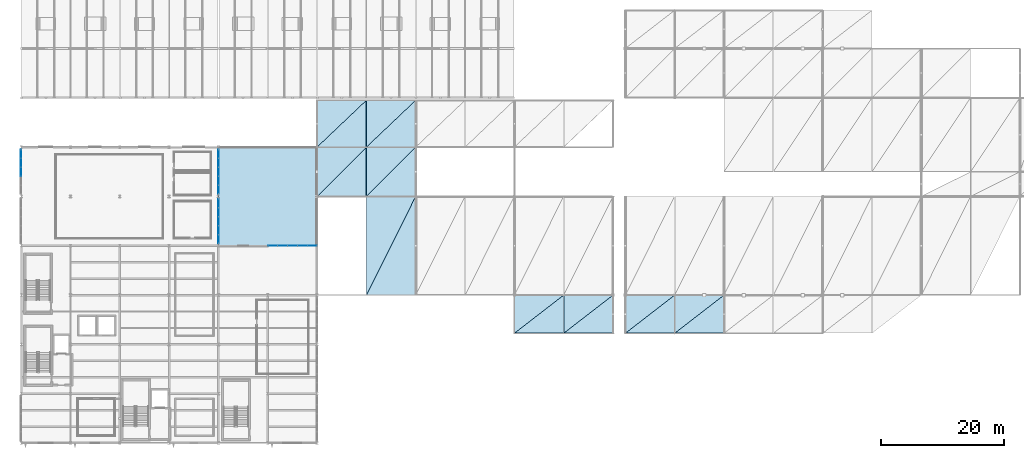
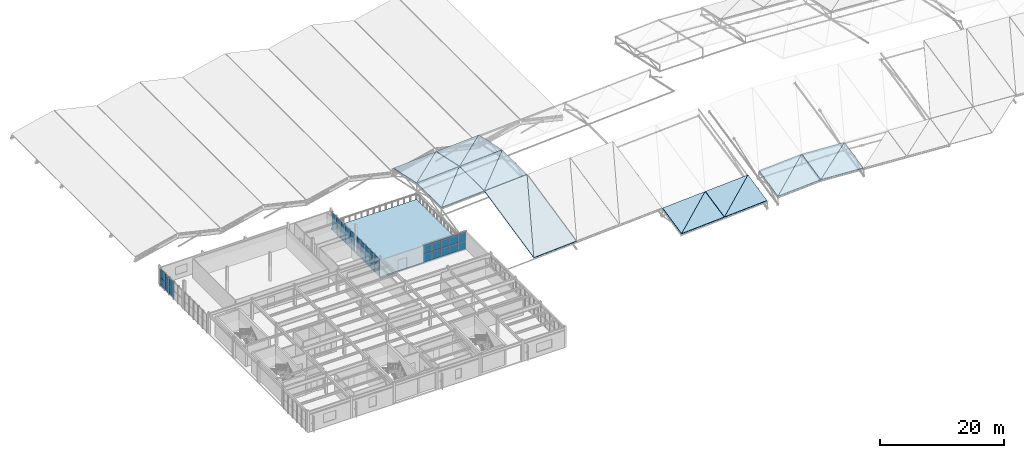
# One storey, part 36 of 67: 36 plates, 19 slabs, 4 elements without a shape of their own.
"""IFC4 building model written with IfcOpenShell, lengths in metres."""

from ifc_helpers import new_model, si_unit, direction, frame, origin, origin_2d, place, context, subcontext, project, spatial, polyline, rectangle, outline, extrude, material, layer, layer_set, type_object, element, aggregate, save


model = new_model("IFC4")

# Units and contexts
model_context = context("Model", 3, precision=1e-05, world=origin(), true_north=direction((0.0, 1.0)))
body_context = subcontext(model_context, "Body", "Model", "MODEL_VIEW")
ifc_project = project(units=[si_unit("LENGTHUNIT", "METRE"), si_unit("AREAUNIT", "SQUARE_METRE"), si_unit("VOLUMEUNIT", "CUBIC_METRE"), si_unit("PLANEANGLEUNIT", "RADIAN"), si_unit("MASSUNIT", "GRAM", prefix="KILO")], contexts=[model_context])

# Site, building, storey
site_placement = place(None, origin())
site = spatial("IfcSite", under=ifc_project, at=site_placement, CompositionType="ELEMENT")
building_placement = place(site_placement, origin())
building = spatial("IfcBuilding", under=site, at=building_placement, Name="Drelvath Fold Interchange", CompositionType="ELEMENT")
storey_placement = place(building_placement, frame((0.0, 0.0, 15.60009765625)))
storey = spatial("IfcBuildingStorey", under=building, at=storey_placement, Name="L03", CompositionType="ELEMENT", Elevation=15.60009765625)

# Curtain wall, plates
ifc_material_1 = material(Name="Anodized Aluminium 6063-T6", Category="aluminium")
curtain_wall_type = type_object("IfcCurtainWallType", Name="CW-OPS-UPP", PredefinedType="USERDEFINED", material=ifc_material_1)
curtain_wall_1_placement = place(storey_placement, origin())
curtain_wall_1 = element("IfcCurtainWall", 1, at=curtain_wall_1_placement, inside=storey, type_object=curtain_wall_type, Name="Curtain wall CW-V5-L03-W43", ObjectType="UNITISED CURTAIN WALL", PredefinedType="USERDEFINED")
ifc_material_2 = material(Name="Low-Iron Insulated Laminated Glass", Category="glass")
ifc_layer_1 = layer(ifc_material_2, 0.068115234375, Name="Low-Iron Insulated Laminated Glass")
ifc_layer_set_1 = layer_set([ifc_layer_1], Name="Low-Iron Insulated Laminated Glass")
plate_type = type_object("IfcPlateType", Name="CP-OPS-A", PredefinedType="CURTAIN_PANEL", material=ifc_layer_set_1)
plate_1_placement = place(storey_placement, frame((4.0, 47.0, 0.040283203125), z_axis=(0.0, 0.0, 1.0), x_axis=(0.0, 1.0, 0.0)))
plate_1 = element("IfcPlate", 2, at=plate_1_placement, type_object=plate_type, Name="CW-V5-L03-W43 glazed panel 2-0", PredefinedType="CURTAIN_PANEL", context=body_context, shape_type="SweptSolid", body=[
    extrude(rectangle(XDim=1.43603515625, YDim=0.068115234375, at=origin_2d()), origin(), (0.0, 0.0, 1.0), 1.625),
])
plate_2_placement = place(storey_placement, frame((4.0, 47.0, 1.684326171875), z_axis=(0.0, 0.0, 1.0), x_axis=(0.0, 1.0, 0.0)))
plate_2 = element("IfcPlate", 3, at=plate_2_placement, type_object=plate_type, Name="CW-V5-L03-W43 glazed panel 2-1", PredefinedType="CURTAIN_PANEL", context=body_context, shape_type="SweptSolid", body=[
    extrude(rectangle(XDim=1.43603515625, YDim=0.068115234375, at=origin_2d()), origin(), (0.0, 0.0, 1.0), 1.625),
])
plate_3_placement = place(storey_placement, frame((4.0, 48.4560546875, 0.040283203125), z_axis=(0.0, 0.0, 1.0), x_axis=(0.0, 1.0, 0.0)))
plate_3 = element("IfcPlate", 4, at=plate_3_placement, type_object=plate_type, Name="CW-V5-L03-W43 glazed panel 3-0", PredefinedType="CURTAIN_PANEL", context=body_context, shape_type="SweptSolid", body=[
    extrude(rectangle(XDim=1.43603515625, YDim=0.068115234375, at=origin_2d()), origin(), (0.0, 0.0, 1.0), 1.625),
])
plate_4_placement = place(storey_placement, frame((4.0, 48.4560546875, 1.684326171875), z_axis=(0.0, 0.0, 1.0), x_axis=(0.0, 1.0, 0.0)))
plate_4 = element("IfcPlate", 5, at=plate_4_placement, type_object=plate_type, Name="CW-V5-L03-W43 glazed panel 3-1", PredefinedType="CURTAIN_PANEL", context=body_context, shape_type="SweptSolid", body=[
    extrude(rectangle(XDim=1.43603515625, YDim=0.068115234375, at=origin_2d()), origin(), (0.0, 0.0, 1.0), 1.625),
])
plate_5_placement = place(storey_placement, frame((4.0, 49.89208984375, 0.040283203125), z_axis=(0.0, 0.0, 1.0), x_axis=(0.0, 1.0, 0.0)))
plate_5 = element("IfcPlate", 6, at=plate_5_placement, type_object=plate_type, Name="CW-V5-L03-W43 glazed panel 4-0", PredefinedType="CURTAIN_PANEL", context=body_context, shape_type="SweptSolid", body=[
    extrude(rectangle(XDim=1.39599609375, YDim=0.068115234375, at=origin_2d()), origin(), (0.0, 0.0, 1.0), 1.625),
])
plate_6_placement = place(storey_placement, frame((4.0, 49.89208984375, 1.684326171875), z_axis=(0.0, 0.0, 1.0), x_axis=(0.0, 1.0, 0.0)))
plate_6 = element("IfcPlate", 7, at=plate_6_placement, type_object=plate_type, Name="CW-V5-L03-W43 glazed panel 4-1", PredefinedType="CURTAIN_PANEL", context=body_context, shape_type="SweptSolid", body=[
    extrude(rectangle(XDim=1.39599609375, YDim=0.068115234375, at=origin_2d()), origin(), (0.0, 0.0, 1.0), 1.625),
])
aggregate(curtain_wall_1, [plate_1, plate_2, plate_3, plate_4, plate_5, plate_6])

curtain_wall_2_placement = place(storey_placement, origin())
curtain_wall_2 = element("IfcCurtainWall", 8, at=curtain_wall_2_placement, inside=storey, type_object=curtain_wall_type, Name="Curtain wall CW-V5-L03-ST44", ObjectType="UNITISED CURTAIN WALL", PredefinedType="USERDEFINED")
plate_7_placement = place(storey_placement, frame((44.820068359375, 35.0, 0.040283203125), z_axis=(0.0, 0.0, 1.0), x_axis=(1.0, 0.0, 0.0)))
plate_7 = element("IfcPlate", 9, at=plate_7_placement, type_object=plate_type, Name="CW-V5-L03-ST44 glazed panel 0-0", PredefinedType="CURTAIN_PANEL", context=body_context, shape_type="SweptSolid", body=[
    extrude(rectangle(XDim=1.5400390625, YDim=0.068115234375, at=origin_2d()), origin(), (0.0, 0.0, 1.0), 1.625),
])
plate_8_placement = place(storey_placement, frame((44.820068359375, 35.0, 1.684326171875), z_axis=(0.0, 0.0, 1.0), x_axis=(1.0, 0.0, 0.0)))
plate_8 = element("IfcPlate", 10, at=plate_8_placement, type_object=plate_type, Name="CW-V5-L03-ST44 glazed panel 0-1", PredefinedType="CURTAIN_PANEL", context=body_context, shape_type="SweptSolid", body=[
    extrude(rectangle(XDim=1.5400390625, YDim=0.068115234375, at=origin_2d()), origin(), (0.0, 0.0, 1.0), 1.625),
])
plate_9_placement = place(storey_placement, frame((46.39990234375, 35.0, 0.040283203125), z_axis=(0.0, 0.0, 1.0), x_axis=(1.0, 0.0, 0.0)))
plate_9 = element("IfcPlate", 11, at=plate_9_placement, type_object=plate_type, Name="CW-V5-L03-ST44 glazed panel 1-0", PredefinedType="CURTAIN_PANEL", context=body_context, shape_type="SweptSolid", body=[
    extrude(rectangle(XDim=1.580078125, YDim=0.068115234375, at=origin_2d()), origin(), (0.0, 0.0, 1.0), 1.625),
])
plate_10_placement = place(storey_placement, frame((46.39990234375, 35.0, 1.684326171875), z_axis=(0.0, 0.0, 1.0), x_axis=(1.0, 0.0, 0.0)))
plate_10 = element("IfcPlate", 12, at=plate_10_placement, type_object=plate_type, Name="CW-V5-L03-ST44 glazed panel 1-1", PredefinedType="CURTAIN_PANEL", context=body_context, shape_type="SweptSolid", body=[
    extrude(rectangle(XDim=1.580078125, YDim=0.068115234375, at=origin_2d()), origin(), (0.0, 0.0, 1.0), 1.625),
])
plate_11_placement = place(storey_placement, frame((48.0, 35.0, 0.040283203125), z_axis=(0.0, 0.0, 1.0), x_axis=(1.0, 0.0, 0.0)))
plate_11 = element("IfcPlate", 13, at=plate_11_placement, type_object=plate_type, Name="CW-V5-L03-ST44 glazed panel 2-0", PredefinedType="CURTAIN_PANEL", context=body_context, shape_type="SweptSolid", body=[
    extrude(rectangle(XDim=1.580078125, YDim=0.068115234375, at=origin_2d()), origin(), (0.0, 0.0, 1.0), 1.625),
])
plate_12_placement = place(storey_placement, frame((48.0, 35.0, 1.684326171875), z_axis=(0.0, 0.0, 1.0), x_axis=(1.0, 0.0, 0.0)))
plate_12 = element("IfcPlate", 14, at=plate_12_placement, type_object=plate_type, Name="CW-V5-L03-ST44 glazed panel 2-1", PredefinedType="CURTAIN_PANEL", context=body_context, shape_type="SweptSolid", body=[
    extrude(rectangle(XDim=1.580078125, YDim=0.068115234375, at=origin_2d()), origin(), (0.0, 0.0, 1.0), 1.625),
])
plate_13_placement = place(storey_placement, frame((49.60009765625, 35.0, 0.040283203125), z_axis=(0.0, 0.0, 1.0), x_axis=(1.0, 0.0, 0.0)))
plate_13 = element("IfcPlate", 15, at=plate_13_placement, type_object=plate_type, Name="CW-V5-L03-ST44 glazed panel 3-0", PredefinedType="CURTAIN_PANEL", context=body_context, shape_type="SweptSolid", body=[
    extrude(rectangle(XDim=1.580078125, YDim=0.068115234375, at=origin_2d()), origin(), (0.0, 0.0, 1.0), 1.625),
])
plate_14_placement = place(storey_placement, frame((49.60009765625, 35.0, 1.684326171875), z_axis=(0.0, 0.0, 1.0), x_axis=(1.0, 0.0, 0.0)))
plate_14 = element("IfcPlate", 16, at=plate_14_placement, type_object=plate_type, Name="CW-V5-L03-ST44 glazed panel 3-1", PredefinedType="CURTAIN_PANEL", context=body_context, shape_type="SweptSolid", body=[
    extrude(rectangle(XDim=1.580078125, YDim=0.068115234375, at=origin_2d()), origin(), (0.0, 0.0, 1.0), 1.625),
])
plate_15_placement = place(storey_placement, frame((51.179931640625, 35.0, 0.040283203125), z_axis=(0.0, 0.0, 1.0), x_axis=(1.0, 0.0, 0.0)))
plate_15 = element("IfcPlate", 17, at=plate_15_placement, type_object=plate_type, Name="CW-V5-L03-ST44 glazed panel 4-0", PredefinedType="CURTAIN_PANEL", context=body_context, shape_type="SweptSolid", body=[
    extrude(rectangle(XDim=1.5400390625, YDim=0.068115234375, at=origin_2d()), origin(), (0.0, 0.0, 1.0), 1.625),
])
plate_16_placement = place(storey_placement, frame((51.179931640625, 35.0, 1.684326171875), z_axis=(0.0, 0.0, 1.0), x_axis=(1.0, 0.0, 0.0)))
plate_16 = element("IfcPlate", 18, at=plate_16_placement, type_object=plate_type, Name="CW-V5-L03-ST44 glazed panel 4-1", PredefinedType="CURTAIN_PANEL", context=body_context, shape_type="SweptSolid", body=[
    extrude(rectangle(XDim=1.5400390625, YDim=0.068115234375, at=origin_2d()), origin(), (0.0, 0.0, 1.0), 1.625),
])
aggregate(curtain_wall_2, [plate_7, plate_8, plate_9, plate_10, plate_11, plate_12, plate_13, plate_14, plate_15, plate_16])

curtain_wall_3_placement = place(storey_placement, origin())
curtain_wall_3 = element("IfcCurtainWall", 19, at=curtain_wall_3_placement, inside=storey, type_object=curtain_wall_type, Name="Curtain wall CW-V5-L03-E36-35", ObjectType="UNITISED CURTAIN WALL", PredefinedType="USERDEFINED")
plate_17_placement = place(storey_placement, frame((36.0, 36.10791015625, 0.040283203125), z_axis=(0.0, 0.0, 1.0), x_axis=(0.0, 1.0, 0.0)))
plate_17 = element("IfcPlate", 20, at=plate_17_placement, type_object=plate_type, Name="CW-V5-L03-E36-35 glazed panel 0-0", PredefinedType="CURTAIN_PANEL", context=body_context, shape_type="SweptSolid", body=[
    extrude(rectangle(XDim=1.39599609375, YDim=0.068115234375, at=origin_2d()), origin(), (0.0, 0.0, 1.0), 1.625),
])
plate_18_placement = place(storey_placement, frame((36.0, 36.10791015625, 1.684326171875), z_axis=(0.0, 0.0, 1.0), x_axis=(0.0, 1.0, 0.0)))
plate_18 = element("IfcPlate", 21, at=plate_18_placement, type_object=plate_type, Name="CW-V5-L03-E36-35 glazed panel 0-1", PredefinedType="CURTAIN_PANEL", context=body_context, shape_type="SweptSolid", body=[
    extrude(rectangle(XDim=1.39599609375, YDim=0.068115234375, at=origin_2d()), origin(), (0.0, 0.0, 1.0), 1.625),
])
plate_19_placement = place(storey_placement, frame((36.0, 37.5439453125, 0.040283203125), z_axis=(0.0, 0.0, 1.0), x_axis=(0.0, 1.0, 0.0)))
plate_19 = element("IfcPlate", 22, at=plate_19_placement, type_object=plate_type, Name="CW-V5-L03-E36-35 glazed panel 1-0", PredefinedType="CURTAIN_PANEL", context=body_context, shape_type="SweptSolid", body=[
    extrude(rectangle(XDim=1.43603515625, YDim=0.068115234375, at=origin_2d()), origin(), (0.0, 0.0, 1.0), 1.625),
])
plate_20_placement = place(storey_placement, frame((36.0, 37.5439453125, 1.684326171875), z_axis=(0.0, 0.0, 1.0), x_axis=(0.0, 1.0, 0.0)))
plate_20 = element("IfcPlate", 23, at=plate_20_placement, type_object=plate_type, Name="CW-V5-L03-E36-35 glazed panel 1-1", PredefinedType="CURTAIN_PANEL", context=body_context, shape_type="SweptSolid", body=[
    extrude(rectangle(XDim=1.43603515625, YDim=0.068115234375, at=origin_2d()), origin(), (0.0, 0.0, 1.0), 1.625),
])
plate_21_placement = place(storey_placement, frame((36.0, 39.0, 0.040283203125), z_axis=(0.0, 0.0, 1.0), x_axis=(0.0, 1.0, 0.0)))
plate_21 = element("IfcPlate", 24, at=plate_21_placement, type_object=plate_type, Name="CW-V5-L03-E36-35 glazed panel 2-0", PredefinedType="CURTAIN_PANEL", context=body_context, shape_type="SweptSolid", body=[
    extrude(rectangle(XDim=1.43603515625, YDim=0.068115234375, at=origin_2d()), origin(), (0.0, 0.0, 1.0), 1.625),
])
plate_22_placement = place(storey_placement, frame((36.0, 39.0, 1.684326171875), z_axis=(0.0, 0.0, 1.0), x_axis=(0.0, 1.0, 0.0)))
plate_22 = element("IfcPlate", 25, at=plate_22_placement, type_object=plate_type, Name="CW-V5-L03-E36-35 glazed panel 2-1", PredefinedType="CURTAIN_PANEL", context=body_context, shape_type="SweptSolid", body=[
    extrude(rectangle(XDim=1.43603515625, YDim=0.068115234375, at=origin_2d()), origin(), (0.0, 0.0, 1.0), 1.625),
])
plate_23_placement = place(storey_placement, frame((36.0, 40.4560546875, 0.040283203125), z_axis=(0.0, 0.0, 1.0), x_axis=(0.0, 1.0, 0.0)))
plate_23 = element("IfcPlate", 26, at=plate_23_placement, type_object=plate_type, Name="CW-V5-L03-E36-35 glazed panel 3-0", PredefinedType="CURTAIN_PANEL", context=body_context, shape_type="SweptSolid", body=[
    extrude(rectangle(XDim=1.43603515625, YDim=0.068115234375, at=origin_2d()), origin(), (0.0, 0.0, 1.0), 1.625),
])
plate_24_placement = place(storey_placement, frame((36.0, 40.4560546875, 1.684326171875), z_axis=(0.0, 0.0, 1.0), x_axis=(0.0, 1.0, 0.0)))
plate_24 = element("IfcPlate", 27, at=plate_24_placement, type_object=plate_type, Name="CW-V5-L03-E36-35 glazed panel 3-1", PredefinedType="CURTAIN_PANEL", context=body_context, shape_type="SweptSolid", body=[
    extrude(rectangle(XDim=1.43603515625, YDim=0.068115234375, at=origin_2d()), origin(), (0.0, 0.0, 1.0), 1.625),
])
plate_25_placement = place(storey_placement, frame((36.0, 41.89208984375, 0.040283203125), z_axis=(0.0, 0.0, 1.0), x_axis=(0.0, 1.0, 0.0)))
plate_25 = element("IfcPlate", 28, at=plate_25_placement, type_object=plate_type, Name="CW-V5-L03-E36-35 glazed panel 4-0", PredefinedType="CURTAIN_PANEL", context=body_context, shape_type="SweptSolid", body=[
    extrude(rectangle(XDim=1.39599609375, YDim=0.068115234375, at=origin_2d()), origin(), (0.0, 0.0, 1.0), 1.625),
])
plate_26_placement = place(storey_placement, frame((36.0, 41.89208984375, 1.684326171875), z_axis=(0.0, 0.0, 1.0), x_axis=(0.0, 1.0, 0.0)))
plate_26 = element("IfcPlate", 29, at=plate_26_placement, type_object=plate_type, Name="CW-V5-L03-E36-35 glazed panel 4-1", PredefinedType="CURTAIN_PANEL", context=body_context, shape_type="SweptSolid", body=[
    extrude(rectangle(XDim=1.39599609375, YDim=0.068115234375, at=origin_2d()), origin(), (0.0, 0.0, 1.0), 1.625),
])
aggregate(curtain_wall_3, [plate_17, plate_18, plate_19, plate_20, plate_21, plate_22, plate_23, plate_24, plate_25, plate_26])

curtain_wall_4_placement = place(storey_placement, origin())
curtain_wall_4 = element("IfcCurtainWall", 30, at=curtain_wall_4_placement, inside=storey, type_object=curtain_wall_type, Name="Curtain wall CW-V5-L03-E36-43", ObjectType="UNITISED CURTAIN WALL", PredefinedType="USERDEFINED")
plate_27_placement = place(storey_placement, frame((36.0, 44.10791015625, 0.040283203125), z_axis=(0.0, 0.0, 1.0), x_axis=(0.0, 1.0, 0.0)))
plate_27 = element("IfcPlate", 31, at=plate_27_placement, type_object=plate_type, Name="CW-V5-L03-E36-43 glazed panel 0-0", PredefinedType="CURTAIN_PANEL", context=body_context, shape_type="SweptSolid", body=[
    extrude(rectangle(XDim=1.39599609375, YDim=0.068115234375, at=origin_2d()), origin(), (0.0, 0.0, 1.0), 1.625),
])
plate_28_placement = place(storey_placement, frame((36.0, 44.10791015625, 1.684326171875), z_axis=(0.0, 0.0, 1.0), x_axis=(0.0, 1.0, 0.0)))
plate_28 = element("IfcPlate", 32, at=plate_28_placement, type_object=plate_type, Name="CW-V5-L03-E36-43 glazed panel 0-1", PredefinedType="CURTAIN_PANEL", context=body_context, shape_type="SweptSolid", body=[
    extrude(rectangle(XDim=1.39599609375, YDim=0.068115234375, at=origin_2d()), origin(), (0.0, 0.0, 1.0), 1.625),
])
plate_29_placement = place(storey_placement, frame((36.0, 45.5439453125, 0.040283203125), z_axis=(0.0, 0.0, 1.0), x_axis=(0.0, 1.0, 0.0)))
plate_29 = element("IfcPlate", 33, at=plate_29_placement, type_object=plate_type, Name="CW-V5-L03-E36-43 glazed panel 1-0", PredefinedType="CURTAIN_PANEL", context=body_context, shape_type="SweptSolid", body=[
    extrude(rectangle(XDim=1.43603515625, YDim=0.068115234375, at=origin_2d()), origin(), (0.0, 0.0, 1.0), 1.625),
])
plate_30_placement = place(storey_placement, frame((36.0, 45.5439453125, 1.684326171875), z_axis=(0.0, 0.0, 1.0), x_axis=(0.0, 1.0, 0.0)))
plate_30 = element("IfcPlate", 34, at=plate_30_placement, type_object=plate_type, Name="CW-V5-L03-E36-43 glazed panel 1-1", PredefinedType="CURTAIN_PANEL", context=body_context, shape_type="SweptSolid", body=[
    extrude(rectangle(XDim=1.43603515625, YDim=0.068115234375, at=origin_2d()), origin(), (0.0, 0.0, 1.0), 1.625),
])
plate_31_placement = place(storey_placement, frame((36.0, 47.0, 0.040283203125), z_axis=(0.0, 0.0, 1.0), x_axis=(0.0, 1.0, 0.0)))
plate_31 = element("IfcPlate", 35, at=plate_31_placement, type_object=plate_type, Name="CW-V5-L03-E36-43 glazed panel 2-0", PredefinedType="CURTAIN_PANEL", context=body_context, shape_type="SweptSolid", body=[
    extrude(rectangle(XDim=1.43603515625, YDim=0.068115234375, at=origin_2d()), origin(), (0.0, 0.0, 1.0), 1.625),
])
plate_32_placement = place(storey_placement, frame((36.0, 47.0, 1.684326171875), z_axis=(0.0, 0.0, 1.0), x_axis=(0.0, 1.0, 0.0)))
plate_32 = element("IfcPlate", 36, at=plate_32_placement, type_object=plate_type, Name="CW-V5-L03-E36-43 glazed panel 2-1", PredefinedType="CURTAIN_PANEL", context=body_context, shape_type="SweptSolid", body=[
    extrude(rectangle(XDim=1.43603515625, YDim=0.068115234375, at=origin_2d()), origin(), (0.0, 0.0, 1.0), 1.625),
])
plate_33_placement = place(storey_placement, frame((36.0, 48.4560546875, 0.040283203125), z_axis=(0.0, 0.0, 1.0), x_axis=(0.0, 1.0, 0.0)))
plate_33 = element("IfcPlate", 37, at=plate_33_placement, type_object=plate_type, Name="CW-V5-L03-E36-43 glazed panel 3-0", PredefinedType="CURTAIN_PANEL", context=body_context, shape_type="SweptSolid", body=[
    extrude(rectangle(XDim=1.43603515625, YDim=0.068115234375, at=origin_2d()), origin(), (0.0, 0.0, 1.0), 1.625),
])
plate_34_placement = place(storey_placement, frame((36.0, 48.4560546875, 1.684326171875), z_axis=(0.0, 0.0, 1.0), x_axis=(0.0, 1.0, 0.0)))
plate_34 = element("IfcPlate", 38, at=plate_34_placement, type_object=plate_type, Name="CW-V5-L03-E36-43 glazed panel 3-1", PredefinedType="CURTAIN_PANEL", context=body_context, shape_type="SweptSolid", body=[
    extrude(rectangle(XDim=1.43603515625, YDim=0.068115234375, at=origin_2d()), origin(), (0.0, 0.0, 1.0), 1.625),
])
plate_35_placement = place(storey_placement, frame((36.0, 49.89208984375, 0.040283203125), z_axis=(0.0, 0.0, 1.0), x_axis=(0.0, 1.0, 0.0)))
plate_35 = element("IfcPlate", 39, at=plate_35_placement, type_object=plate_type, Name="CW-V5-L03-E36-43 glazed panel 4-0", PredefinedType="CURTAIN_PANEL", context=body_context, shape_type="SweptSolid", body=[
    extrude(rectangle(XDim=1.39599609375, YDim=0.068115234375, at=origin_2d()), origin(), (0.0, 0.0, 1.0), 1.625),
])
plate_36_placement = place(storey_placement, frame((36.0, 49.89208984375, 1.684326171875), z_axis=(0.0, 0.0, 1.0), x_axis=(0.0, 1.0, 0.0)))
plate_36 = element("IfcPlate", 40, at=plate_36_placement, type_object=plate_type, Name="CW-V5-L03-E36-43 glazed panel 4-1", PredefinedType="CURTAIN_PANEL", context=body_context, shape_type="SweptSolid", body=[
    extrude(rectangle(XDim=1.39599609375, YDim=0.068115234375, at=origin_2d()), origin(), (0.0, 0.0, 1.0), 1.625),
])
aggregate(curtain_wall_4, [plate_27, plate_28, plate_29, plate_30, plate_31, plate_32, plate_33, plate_34, plate_35, plate_36])

# Slabs
ifc_material_3 = material(Name="Concrete f'c 35 MPa (5000 psi)", Category="concrete")
ifc_layer_2 = layer(ifc_material_3, 0.169921875, Name="Concrete f'c 35 MPa (5000 psi)")
ifc_layer_set_2 = layer_set([ifc_layer_2], Name="Concrete f'c 35 MPa (5000 psi)")
slab_type_1 = type_object("IfcSlabType", Name="RF-SF1", PredefinedType="ROOF", material=ifc_layer_set_2)
slab_1_placement = place(storey_placement, frame((52.030029296875, 43.030029296875, 3.205810546875), z_axis=(-0.060096582196, 0.0, 0.998192566997), x_axis=(0.998192566997, 0.0, 0.060096582196)))
element("IfcSlab", 41, at=slab_1_placement, inside=storey, type_object=slab_type_1, Name="Space frame canopy sloped roof facet 3", PredefinedType="ROOF", context=body_context, shape_type="SweptSolid", body=[
    extrude(outline(polyline([(0.0, 0.0), (7.954318303667255, 0.0), (7.954318303667255, 7.93994140625), (0.0, 0.0)])), origin(), (0.0, 0.0, -1.0), 0.169921875),
])
slab_2_placement = place(storey_placement, frame((52.030029296875, 43.030029296875, 3.205810546875), z_axis=(-0.060096582196, 0.0, 0.998192566997), x_axis=(0.706466890092, 0.706466890092, 0.042533121296)))
element("IfcSlab", 42, at=slab_2_placement, inside=storey, type_object=slab_type_1, Name="Space frame canopy sloped roof facet 4", PredefinedType="ROOF", context=body_context, shape_type="SweptSolid", body=[
    extrude(outline(polyline([(0.0, 0.0), (11.238943420568463, -3.3306690738754696e-16), (5.609305712786883, 5.6194625147944235), (0.0, 0.0)])), origin(), (0.0, 0.0, -1.0), 0.169921875),
])
slab_3_placement = place(storey_placement, frame((52.030029296875, 51.030029296875, 3.19287109375), z_axis=(-0.058721833682, 0.212668777665, 0.975358260977), x_axis=(0.998192566997, 0.0, 0.060096582196)))
element("IfcSlab", 43, at=slab_3_placement, inside=storey, type_object=slab_type_1, Name="Space frame canopy sloped roof facet 5", PredefinedType="ROOF", context=body_context, shape_type="SweptSolid", body=[
    extrude(outline(polyline([(0.0, 0.0), (7.954318303667255, 0.0), (7.855516940261908, 7.71656041495895), (0.0, 0.0)])), origin(), (0.0, 0.0, -1.0), 0.169921875),
])
slab_4_placement = place(storey_placement, frame((52.030029296875, 51.030029296875, 3.19287109375), z_axis=(-0.058721833682, 0.212668777665, 0.975358260977), x_axis=(0.721055099485, 0.684738506011, -0.105890140678)))
element("IfcSlab", 44, at=slab_4_placement, inside=storey, type_object=slab_type_1, Name="Space frame canopy sloped roof facet 6", PredefinedType="ROOF", context=body_context, shape_type="SweptSolid", body=[
    extrude(outline(polyline([(0.0, 0.0), (11.011559882071808, -3.3306690738754696e-16), (5.337043024162573, 5.574140122508568), (0.0, 0.0)])), origin(), (0.0, 0.0, -1.0), 0.169921875),
])
slab_5_placement = place(storey_placement, frame((60.030029296875, 27.030029296875, 0.198974609375), z_axis=(-0.05872238266, -0.212626802128, 0.975367379397), x_axis=(0.998192566997, 0.0, 0.060096582196)))
element("IfcSlab", 45, at=slab_5_placement, inside=storey, type_object=slab_type_1, Name="Space frame canopy sloped roof facet 9", PredefinedType="ROOF", context=body_context, shape_type="SweptSolid", body=[
    extrude(outline(polyline([(0.0, 0.0), (7.954318303667255, 0.0), (8.163145123588297, 16.312962034805828), (0.0, 0.0)])), origin(), (0.0, 0.0, -1.0), 0.169921875),
])
slab_6_placement = place(storey_placement, frame((60.030029296875, 27.030029296875, 0.198974609375), z_axis=(-0.05872238266, -0.212626802128, 0.975367379397), x_axis=(0.435269745672, 0.873831919775, 0.216698002957)))
element("IfcSlab", 46, at=slab_6_placement, inside=storey, type_object=slab_type_1, Name="Space frame canopy sloped roof facet 10", PredefinedType="ROOF", context=body_context, shape_type="SweptSolid", body=[
    extrude(outline(polyline([(0.0, 0.0), (18.24142726482168, -2.7755575615628914e-17), (14.681823417524525, 7.1133958224158444), (0.0, 0.0)])), origin(), (0.0, 0.0, -1.0), 0.169921875),
])
slab_7_placement = place(storey_placement, frame((60.030029296875, 43.030029296875, 3.68701171875), z_axis=(-0.060066000121, 0.0, 0.998194407733), x_axis=(0.998194407733, 0.0, 0.060066000121)))
element("IfcSlab", 47, at=slab_7_placement, inside=storey, type_object=slab_type_1, Name="Space frame canopy sloped roof facet 11", PredefinedType="ROOF", context=body_context, shape_type="SweptSolid", body=[
    extrude(outline(polyline([(0.0, 0.0), (7.954303635383277, 0.0), (7.954303635383277, 7.93994140625), (0.0, 0.0)])), origin(), (0.0, 0.0, -1.0), 0.169921875),
])
slab_8_placement = place(storey_placement, frame((60.030029296875, 43.030029296875, 3.68701171875), z_axis=(-0.060066000121, 0.0, 0.998194407733), x_axis=(0.706467542656, 0.706467542656, 0.042511437826)))
element("IfcSlab", 48, at=slab_8_placement, inside=storey, type_object=slab_type_1, Name="Space frame canopy sloped roof facet 12", PredefinedType="ROOF", context=body_context, shape_type="SweptSolid", body=[
    extrude(outline(polyline([(0.0, 0.0), (11.238933039152554, -1.8735013540549517e-16), (5.609310894109289, 5.619457342832143), (0.0, 0.0)])), origin(), (0.0, 0.0, -1.0), 0.169921875),
])
slab_9_placement = place(storey_placement, frame((60.030029296875, 51.030029296875, 3.673828125), z_axis=(-0.058721833682, 0.212668777665, 0.975358260977), x_axis=(0.998192566997, 0.0, 0.060096582196)))
element("IfcSlab", 49, at=slab_9_placement, inside=storey, type_object=slab_type_1, Name="Space frame canopy sloped roof facet 13", PredefinedType="ROOF", context=body_context, shape_type="SweptSolid", body=[
    extrude(outline(polyline([(0.0, 0.0), (7.954318303667255, 0.0), (7.855516940261908, 7.71656041495895), (0.0, 0.0)])), origin(), (0.0, 0.0, -1.0), 0.169921875),
])
slab_10_placement = place(storey_placement, frame((60.030029296875, 51.030029296875, 3.673828125), z_axis=(-0.058574361549, 0.212519874253, 0.975399583359), x_axis=(0.721055099485, 0.684738506011, -0.105890140678)))
element("IfcSlab", 50, at=slab_10_placement, inside=storey, type_object=slab_type_1, Name="Space frame canopy sloped roof facet 14", PredefinedType="ROOF", context=body_context, shape_type="SweptSolid", body=[
    extrude(outline(polyline([(0.0, 0.0), (11.011559882071808, -1.4432899320127035e-15), (5.33691376373694, 5.573903976468769), (0.0, 0.0)])), origin(), (0.0, 0.0, -1.0), 0.169921875),
])
slab_11_placement = place(storey_placement, frame((84.030029296875, 20.830078125, 0.291015625), z_axis=(-0.058693171202, -0.212575434856, 0.9753803341), x_axis=(0.998194407733, 0.0, 0.060066000121)))
element("IfcSlab", 51, at=slab_11_placement, inside=storey, type_object=slab_type_1, Name="Space frame canopy sloped roof facet 31", PredefinedType="ROOF", context=body_context, shape_type="SweptSolid", body=[
    extrude(outline(polyline([(0.0, 0.0), (7.954303635383277, 1.3877787807814457e-17), (8.034680038377155, 6.283504209892001), (0.0, 0.0)])), origin(), (0.0, 0.0, -1.0), 0.169921875),
])
slab_12_placement = place(storey_placement, frame((84.030029296875, 20.830078125, 0.291015625), z_axis=(-0.058602056406, -0.212687647419, 0.97536135028), x_axis=(0.778431207908, 0.601954567606, 0.178032449555)))
element("IfcSlab", 52, at=slab_12_placement, inside=storey, type_object=slab_type_1, Name="Space frame canopy sloped roof facet 32", PredefinedType="ROOF", context=body_context, shape_type="SweptSolid", body=[
    extrude(outline(polyline([(0.0, 0.0), (10.19992688575888, -9.43689570931383e-16), (3.9342981870286056, 4.900218769832837), (0.0, 0.0)])), origin(), (0.0, 0.0, -1.0), 0.169921875),
])
slab_13_placement = place(storey_placement, frame((92.030029296875, 20.830078125, 0.77197265625), z_axis=(-0.058723543311, -0.212538028694, 0.975386657598), x_axis=(0.998192566997, 0.0, 0.060096582196)))
element("IfcSlab", 53, at=slab_13_placement, inside=storey, type_object=slab_type_1, Name="Space frame canopy sloped roof facet 39", PredefinedType="ROOF", context=body_context, shape_type="SweptSolid", body=[
    extrude(outline(polyline([(0.0, 0.0), (7.954318303667255, -1.3877787807814457e-17), (8.03472095758191, 6.283451886393405), (0.0, 0.0)])), origin(), (0.0, 0.0, -1.0), 0.169921875),
])
slab_14_placement = place(storey_placement, frame((92.030029296875, 20.830078125, 0.77197265625), z_axis=(-0.058602056406, -0.212687647419, 0.97536135028), x_axis=(0.778431207908, 0.601954567606, 0.178032449555)))
element("IfcSlab", 54, at=slab_14_placement, inside=storey, type_object=slab_type_1, Name="Space frame canopy sloped roof facet 40", PredefinedType="ROOF", context=body_context, shape_type="SweptSolid", body=[
    extrude(outline(polyline([(0.0, 0.0), (10.19992688575888, -9.43689570931383e-16), (3.9342981870286056, 4.900218769832837), (0.0, 0.0)])), origin(), (0.0, 0.0, -1.0), 0.169921875),
])
slab_15_placement = place(storey_placement, frame((102.030029296875, 20.830078125, 1.3740234375), z_axis=(-0.058571685319, -0.212725049631, 0.975355017898), x_axis=(0.998201761375, 0.0, 0.05994367013)))
element("IfcSlab", 55, at=slab_15_placement, inside=storey, type_object=slab_type_1, Name="Space frame canopy sloped roof facet 47", PredefinedType="ROOF", context=body_context, shape_type="SweptSolid", body=[
    extrude(outline(polyline([(0.0, 0.0), (7.954245036911256, 1.3877787807814457e-17), (8.034516284631593, 6.283713595225087), (0.0, 0.0)])), origin(), (0.0, 0.0, -1.0), 0.169921875),
])
slab_16_placement = place(storey_placement, frame((102.030029296875, 20.830078125, 1.3740234375), z_axis=(-0.058723543311, -0.212538028694, 0.975386657598), x_axis=(0.778431207908, 0.601954567606, 0.178032449555)))
element("IfcSlab", 56, at=slab_16_placement, inside=storey, type_object=slab_type_1, Name="Space frame canopy sloped roof facet 48", PredefinedType="ROOF", context=body_context, shape_type="SweptSolid", body=[
    extrude(outline(polyline([(0.0, 0.0), (10.19992688575888, -2.7755575615628914e-16), (3.9341243272145876, 4.900091629081616), (0.0, 0.0)])), origin(), (0.0, 0.0, -1.0), 0.169921875),
])
slab_17_placement = place(storey_placement, frame((110.030029296875, 20.830078125, 1.850830078125), z_axis=(0.058574100487, -0.212539897953, 0.975395236061), x_axis=(0.998201761375, 0.0, -0.05994367013)))
element("IfcSlab", 57, at=slab_17_placement, inside=storey, type_object=slab_type_1, Name="Space frame canopy sloped roof facet 59", PredefinedType="ROOF", context=body_context, shape_type="SweptSolid", body=[
    extrude(outline(polyline([(0.0, 0.0), (7.954245036911256, 0.0), (7.8740469626163705, 6.283454500850368), (0.0, 0.0)])), origin(), (0.0, 0.0, -1.0), 0.169921875),
])
slab_18_placement = place(storey_placement, frame((110.030029296875, 20.830078125, 1.850830078125), z_axis=(0.058721122025, -0.212723178899, 0.975346440496), x_axis=(0.788173626224, 0.609488301024, 0.085477165602)))
element("IfcSlab", 58, at=slab_18_placement, inside=storey, type_object=slab_type_1, Name="Space frame canopy sloped roof facet 60", PredefinedType="ROOF", context=body_context, shape_type="SweptSolid", body=[
    extrude(outline(polyline([(0.0, 0.0), (10.073848124413272, 3.0531133177191805e-16), (3.856656136665832, 4.961623067459371), (0.0, 0.0)])), origin(), (0.0, 0.0, -1.0), 0.169921875),
])
ifc_layer_3 = layer(ifc_material_3, 0.280029296875, Name="Concrete f'c 35 MPa (5000 psi)")
ifc_layer_set_3 = layer_set([ifc_layer_3], Name="Concrete f'c 35 MPa (5000 psi)")
slab_type_2 = type_object("IfcSlabType", Name="TR-03", PredefinedType="FLOOR", material=ifc_layer_set_3)
slab_19_placement = place(storey_placement, frame((0.0, 0.0, -0.280029296875)))
element("IfcSlab", 59, at=slab_19_placement, inside=storey, type_object=slab_type_2, Name="Operations Shoulder Roof Terrace", PredefinedType="FLOOR", context=body_context, shape_type="SweptSolid", body=[
    extrude(outline(polyline([(36.0, 35.0), (52.0, 35.0), (52.0, 51.0), (36.0, 51.0), (36.0, 35.0)])), origin(), (0.0, 0.0, 1.0), 0.280029296875),
])

save(model, "model.ifc")
